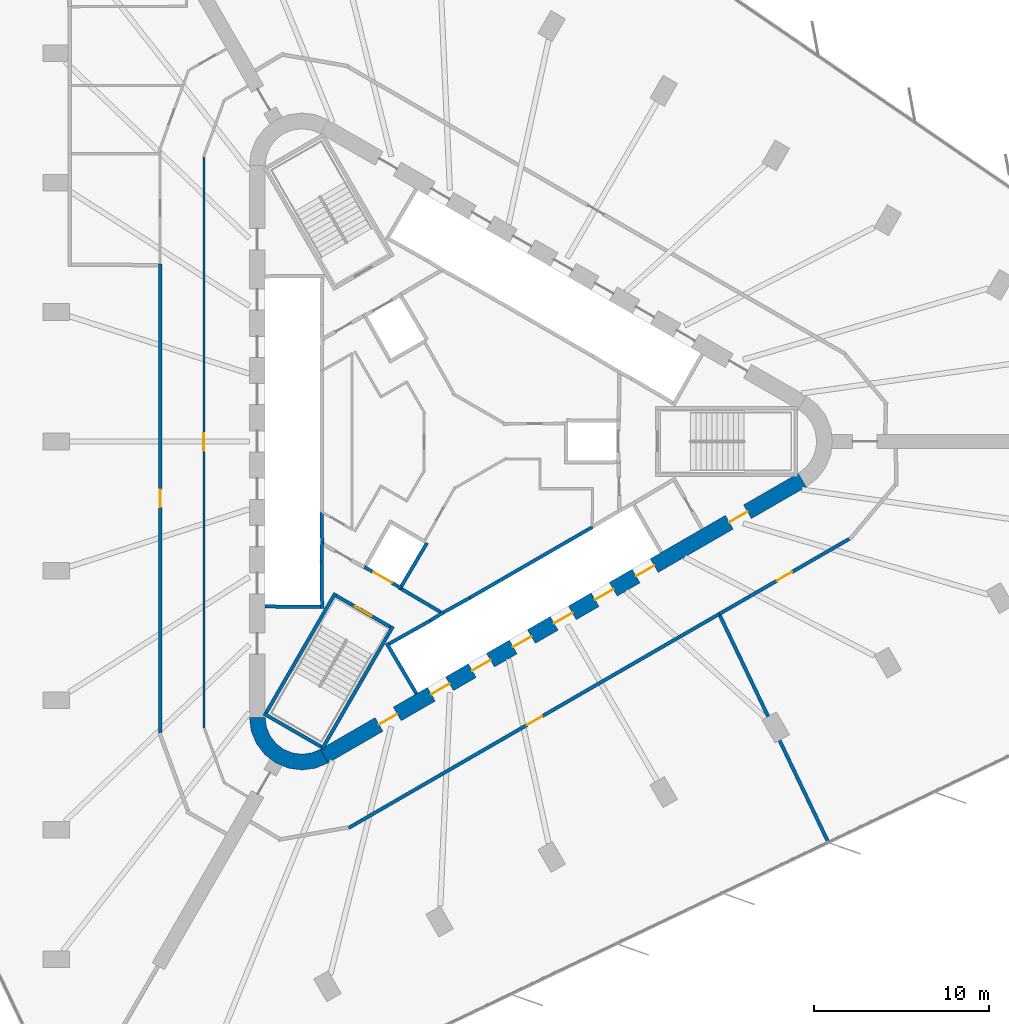
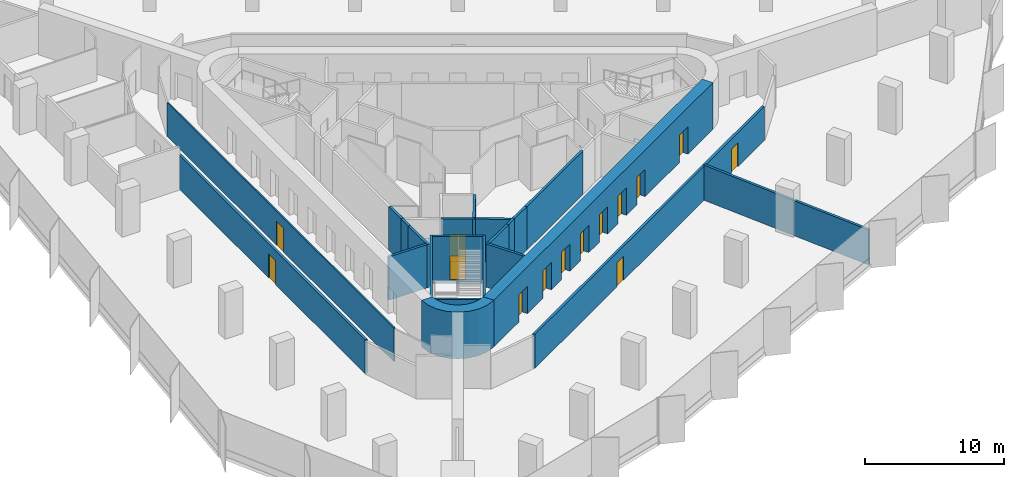
# One storey, part 9 of 14: 23 walls, 14 doors, 14 openings.
"""IFC4 building model written with IfcOpenShell, lengths in metres."""

from ifc_helpers import new_model, si_unit, direction, frame, frame_2d, origin, place, context, subcontext, project, spatial, polyline, rectangle, outline, extrude, material, layer, layer_set, type_object, element, fill, save


model = new_model("IFC4")

# Units and contexts
model_context = context("Model", 3, precision=1e-05, world=origin(), true_north=direction((0.0, 1.0)))
body_context = subcontext(model_context, "Body", "Model", "MODEL_VIEW")
ifc_project = project(units=[si_unit("LENGTHUNIT", "METRE"), si_unit("AREAUNIT", "SQUARE_METRE"), si_unit("VOLUMEUNIT", "CUBIC_METRE"), si_unit("PLANEANGLEUNIT", "RADIAN"), si_unit("MASSUNIT", "GRAM", prefix="KILO")], contexts=[model_context])

# Site, building, storey
site_placement = place(None, origin())
site = spatial("IfcSite", under=ifc_project, at=site_placement, CompositionType="ELEMENT")
building_placement = place(site_placement, origin())
building = spatial("IfcBuilding", under=site, at=building_placement, Name="Tanit Gate Tower", CompositionType="ELEMENT")
storey_placement = place(building_placement, frame((0.0, 0.0, 90.60009765625)))
storey = spatial("IfcBuildingStorey", under=building, at=storey_placement, Name="L18", CompositionType="ELEMENT", Elevation=90.60009765625)

# Wall, openings, doors
ifc_material_1 = material(Name="Concrete C60/75", Category="concrete")
ifc_layer_1 = layer(ifc_material_1, 0.89990234375)
ifc_layer_set_1 = layer_set([ifc_layer_1], Name="CORE WALL 900 C60/75")
wall_type_1 = type_object("IfcWallType", Name="CORE WALL 900 C60/75", PredefinedType="SHEAR", material=ifc_layer_set_1)
wall_1_placement = place(storey_placement, frame((-7.824951171875, -17.969970703125, 0.0), z_axis=(0.0, 0.0, 1.0), x_axis=(0.866028369851, 0.499994862586, 0.0)))
wall_1 = element("IfcWall", 1, at=wall_1_placement, inside=storey, type_object=wall_type_1, Name="CORE WALL", PredefinedType="SHEAR", context=body_context, shape_type="SweptSolid", body=[
    extrude(rectangle(XDim=31.523193359375, YDim=0.89990234375, at=frame_2d((15.76171875, 0.0))), origin(), (0.0, 0.0, 1.0), 4.099853515625),
])
opening_1_placement = place(wall_1_placement, frame((7.061767578125, 0.0, 0.0)))
opening_1 = element("IfcOpeningElement", 2, at=opening_1_placement, cuts=wall_1, Name="Opening LDSX1-S03", PredefinedType="OPENING", context=body_context, shape_type="SweptSolid", body=[
    extrude(rectangle(XDim=1.199951171875, YDim=2.39990234375, at=frame_2d((0.60009765625, 1.199951171875))), frame((0.0, 0.4599609375, 0.0), z_axis=(0.0, -1.0, 0.0), x_axis=(1.0, 0.0, 0.0)), (0.0, 0.0, 1.0), 0.919921875),
])
opening_2_placement = place(wall_1_placement, frame((9.76171875, 0.0, 0.0)))
opening_2 = element("IfcOpeningElement", 3, at=opening_2_placement, cuts=wall_1, Name="Opening LDSX2-S03", PredefinedType="OPENING", context=body_context, shape_type="SweptSolid", body=[
    extrude(rectangle(XDim=1.199951171875, YDim=2.39990234375, at=frame_2d((0.60009765625, 1.199951171875))), frame((0.0, 0.4599609375, 0.0), z_axis=(0.0, -1.0, 0.0), x_axis=(1.0, 0.0, 0.0)), (0.0, 0.0, 1.0), 0.919921875),
])
opening_3_placement = place(wall_1_placement, frame((12.461669921875, 0.0, 0.0)))
opening_3 = element("IfcOpeningElement", 4, at=opening_3_placement, cuts=wall_1, Name="Opening LDSX3-S03", PredefinedType="OPENING", context=body_context, shape_type="SweptSolid", body=[
    extrude(rectangle(XDim=1.199951171875, YDim=2.39990234375, at=frame_2d((0.60009765625, 1.199951171875))), frame((0.0, 0.4599609375, 0.0), z_axis=(0.0, -1.0, 0.0), x_axis=(1.0, 0.0, 0.0)), (0.0, 0.0, 1.0), 0.919921875),
])
opening_4_placement = place(wall_1_placement, frame((15.16162109375, 0.0, 0.0)))
opening_4 = element("IfcOpeningElement", 5, at=opening_4_placement, cuts=wall_1, Name="Opening LDSX4-S03", PredefinedType="OPENING", context=body_context, shape_type="SweptSolid", body=[
    extrude(rectangle(XDim=1.199951171875, YDim=2.39990234375, at=frame_2d((0.60009765625, 1.199951171875))), frame((0.0, 0.4599609375, 0.0), z_axis=(0.0, -1.0, 0.0), x_axis=(1.0, 0.0, 0.0)), (0.0, 0.0, 1.0), 0.919921875),
])
opening_5_placement = place(wall_1_placement, frame((17.861572265625, 0.0, 0.0)))
opening_5 = element("IfcOpeningElement", 6, at=opening_5_placement, cuts=wall_1, Name="Opening LDSV1-S03", PredefinedType="OPENING", context=body_context, shape_type="SweptSolid", body=[
    extrude(rectangle(XDim=1.199951171875, YDim=2.39990234375, at=frame_2d((0.60009765625, 1.199951171875))), frame((0.0, 0.4599609375, 0.0), z_axis=(0.0, -1.0, 0.0), x_axis=(1.0, 0.0, 0.0)), (0.0, 0.0, 1.0), 0.919921875),
])
opening_6_placement = place(wall_1_placement, frame((20.561767578125, 0.0, 0.0)))
opening_6 = element("IfcOpeningElement", 7, at=opening_6_placement, cuts=wall_1, Name="Opening LDSV2-S03", PredefinedType="OPENING", context=body_context, shape_type="SweptSolid", body=[
    extrude(rectangle(XDim=1.199951171875, YDim=2.39990234375, at=frame_2d((0.60009765625, 1.199951171875))), frame((0.0, 0.4599609375, 0.0), z_axis=(0.0, -1.0, 0.0), x_axis=(1.0, 0.0, 0.0)), (0.0, 0.0, 1.0), 0.919921875),
])
opening_7_placement = place(wall_1_placement, frame((26.711669921875, 0.0, 0.0)))
opening_7 = element("IfcOpeningElement", 8, at=opening_7_placement, cuts=wall_1, Name="Opening F12-S03-S1", PredefinedType="OPENING", context=body_context, shape_type="SweptSolid", body=[
    extrude(rectangle(XDim=1.199951171875, YDim=2.39990234375, at=frame_2d((0.60009765625, 1.199951171875))), frame((0.0, 0.4599609375, 0.0), z_axis=(0.0, -1.0, 0.0), x_axis=(1.0, 0.0, 0.0)), (0.0, 0.0, 1.0), 0.919921875),
])
opening_8_placement = place(wall_1_placement, frame((3.611572265625, 0.0, 0.0)))
opening_8 = element("IfcOpeningElement", 9, at=opening_8_placement, cuts=wall_1, Name="Opening F12-S03-FL3", PredefinedType="OPENING", context=body_context, shape_type="SweptSolid", body=[
    extrude(rectangle(XDim=1.199951171875, YDim=2.39990234375, at=frame_2d((0.60009765625, 1.199951171875))), frame((0.0, 0.4599609375, 0.0), z_axis=(0.0, -1.0, 0.0), x_axis=(1.0, 0.0, 0.0)), (0.0, 0.0, 1.0), 0.919921875),
])
ifc_material_2 = material(Name="Fire-rated steel door leaf", Category="steel")
door_type_1 = type_object("IfcDoorType", Name="INT-DOOR-FIRE-LOBBY-1200", OperationType="NOTDEFINED", PredefinedType="USERDEFINED", material=ifc_material_2)
door_1_placement = place(opening_7_placement, origin())
door_1 = element("IfcDoor", 10, at=door_1_placement, inside=storey, type_object=door_type_1, Name="Door F12-S03-S1", ObjectType="FIRE DOOR", OperationType="SINGLE_SWING_LEFT", OverallHeight=2.39990234375, OverallWidth=1.199951171875, PredefinedType="USERDEFINED", context=body_context, shape_type="SweptSolid", body=[
    extrude(rectangle(XDim=1.199951171875, YDim=2.39990234375, at=frame_2d((0.60009765625, 1.199951171875))), frame((0.0, 0.02490234375, 0.0), z_axis=(0.0, -1.0, 0.0), x_axis=(1.0, 0.0, 0.0)), (0.0, 0.0, 1.0), 0.050048828125),
])
fill(opening_7, door_1)
door_2_placement = place(opening_8_placement, origin())
door_2 = element("IfcDoor", 11, at=door_2_placement, inside=storey, type_object=door_type_1, Name="Door F12-S03-FL3", ObjectType="FIRE DOOR", OperationType="SINGLE_SWING_LEFT", OverallHeight=2.39990234375, OverallWidth=1.199951171875, PredefinedType="USERDEFINED", context=body_context, shape_type="SweptSolid", body=[
    extrude(rectangle(XDim=1.199951171875, YDim=2.39990234375, at=frame_2d((0.60009765625, 1.199951171875))), frame((0.0, 0.02490234375, 0.0), z_axis=(0.0, -1.0, 0.0), x_axis=(1.0, 0.0, 0.0)), (0.0, 0.0, 1.0), 0.050048828125),
])
fill(opening_8, door_2)
ifc_material_3 = material(Name="Stainless steel sliding door leaf", Category="steel")
door_type_2 = type_object("IfcDoorType", Name="INT-DOOR-LANDING-1200", OperationType="NOTDEFINED", PredefinedType="USERDEFINED", material=ifc_material_3)
door_3_placement = place(opening_1_placement, origin())
door_3 = element("IfcDoor", 12, at=door_3_placement, inside=storey, type_object=door_type_2, Name="Door LDSX1-S03", ObjectType="LANDING DOOR", OperationType="SLIDING_TO_LEFT", OverallHeight=2.39990234375, OverallWidth=1.199951171875, PredefinedType="USERDEFINED", context=body_context, shape_type="SweptSolid", body=[
    extrude(rectangle(XDim=1.199951171875, YDim=2.39990234375, at=frame_2d((0.60009765625, 1.199951171875))), frame((0.0, 0.02490234375, 0.0), z_axis=(0.0, -1.0, 0.0), x_axis=(1.0, 0.0, 0.0)), (0.0, 0.0, 1.0), 0.050048828125),
])
fill(opening_1, door_3)
door_4_placement = place(opening_2_placement, origin())
door_4 = element("IfcDoor", 13, at=door_4_placement, inside=storey, type_object=door_type_2, Name="Door LDSX2-S03", ObjectType="LANDING DOOR", OperationType="SLIDING_TO_LEFT", OverallHeight=2.39990234375, OverallWidth=1.199951171875, PredefinedType="USERDEFINED", context=body_context, shape_type="SweptSolid", body=[
    extrude(rectangle(XDim=1.199951171875, YDim=2.39990234375, at=frame_2d((0.60009765625, 1.199951171875))), frame((0.0, 0.02490234375, 0.0), z_axis=(0.0, -1.0, 0.0), x_axis=(1.0, 0.0, 0.0)), (0.0, 0.0, 1.0), 0.050048828125),
])
fill(opening_2, door_4)
door_5_placement = place(opening_3_placement, origin())
door_5 = element("IfcDoor", 14, at=door_5_placement, inside=storey, type_object=door_type_2, Name="Door LDSX3-S03", ObjectType="LANDING DOOR", OperationType="SLIDING_TO_LEFT", OverallHeight=2.39990234375, OverallWidth=1.199951171875, PredefinedType="USERDEFINED", context=body_context, shape_type="SweptSolid", body=[
    extrude(rectangle(XDim=1.199951171875, YDim=2.39990234375, at=frame_2d((0.60009765625, 1.199951171875))), frame((0.0, 0.02490234375, 0.0), z_axis=(0.0, -1.0, 0.0), x_axis=(1.0, 0.0, 0.0)), (0.0, 0.0, 1.0), 0.050048828125),
])
fill(opening_3, door_5)
door_6_placement = place(opening_4_placement, origin())
door_6 = element("IfcDoor", 15, at=door_6_placement, inside=storey, type_object=door_type_2, Name="Door LDSX4-S03", ObjectType="LANDING DOOR", OperationType="SLIDING_TO_LEFT", OverallHeight=2.39990234375, OverallWidth=1.199951171875, PredefinedType="USERDEFINED", context=body_context, shape_type="SweptSolid", body=[
    extrude(rectangle(XDim=1.199951171875, YDim=2.39990234375, at=frame_2d((0.60009765625, 1.199951171875))), frame((0.0, 0.02490234375, 0.0), z_axis=(0.0, -1.0, 0.0), x_axis=(1.0, 0.0, 0.0)), (0.0, 0.0, 1.0), 0.050048828125),
])
fill(opening_4, door_6)
door_7_placement = place(opening_5_placement, origin())
door_7 = element("IfcDoor", 16, at=door_7_placement, inside=storey, type_object=door_type_2, Name="Door LDSV1-S03", ObjectType="LANDING DOOR", OperationType="SLIDING_TO_LEFT", OverallHeight=2.39990234375, OverallWidth=1.199951171875, PredefinedType="USERDEFINED", context=body_context, shape_type="SweptSolid", body=[
    extrude(rectangle(XDim=1.199951171875, YDim=2.39990234375, at=frame_2d((0.60009765625, 1.199951171875))), frame((0.0, 0.02490234375, 0.0), z_axis=(0.0, -1.0, 0.0), x_axis=(1.0, 0.0, 0.0)), (0.0, 0.0, 1.0), 0.050048828125),
])
fill(opening_5, door_7)
door_8_placement = place(opening_6_placement, origin())
door_8 = element("IfcDoor", 17, at=door_8_placement, inside=storey, type_object=door_type_2, Name="Door LDSV2-S03", ObjectType="LANDING DOOR", OperationType="SLIDING_TO_LEFT", OverallHeight=2.39990234375, OverallWidth=1.199951171875, PredefinedType="USERDEFINED", context=body_context, shape_type="SweptSolid", body=[
    extrude(rectangle(XDim=1.199951171875, YDim=2.39990234375, at=frame_2d((0.60009765625, 1.199951171875))), frame((0.0, 0.02490234375, 0.0), z_axis=(0.0, -1.0, 0.0), x_axis=(1.0, 0.0, 0.0)), (0.0, 0.0, 1.0), 0.050048828125),
])
fill(opening_6, door_8)

# Walls
wall_2_placement = place(storey_placement, origin())
element("IfcWall", 18, at=wall_2_placement, inside=storey, type_object=wall_type_1, Name="CORE WALL CORNER", PredefinedType="SHEAR", context=body_context, shape_type="SweptSolid", body=[
    extrude(outline(polyline([(-12.10009765625, -15.76171875), (-11.997802734375, -16.5380859375), (-11.697998046875, -17.26171875), (-11.22119140625, -17.883056640625), (-10.60009765625, -18.359619140625), (-9.87646484375, -18.659423828125), (-9.10009765625, -18.76171875), (-8.323486328125, -18.659423828125), (-7.60009765625, -18.359619140625), (-8.050048828125, -17.580322265625), (-8.556396484375, -17.7900390625), (-9.10009765625, -17.86181640625), (-9.6435546875, -17.7900390625), (-10.14990234375, -17.580322265625), (-10.5849609375, -17.24658203125), (-10.918701171875, -16.811767578125), (-11.12841796875, -16.30517578125), (-11.199951171875, -15.76171875), (-12.10009765625, -15.76171875)])), origin(), (0.0, 0.0, 1.0), 4.099853515625),
])
ifc_material_4 = material(Name="Fire-rated gypsum board partition")
ifc_layer_2 = layer(ifc_material_4, 0.199951171875)
ifc_layer_set_2 = layer_set([ifc_layer_2], Name="INT-WALL-COMPARTMENT")
wall_type_2 = type_object("IfcWallType", Name="INT-WALL-COMPARTMENT", PredefinedType="PARTITIONING", material=ifc_layer_set_2)
wall_3_placement = place(storey_placement, frame((-3.400634765625, -8.43017578125, 0.0), z_axis=(0.0, 0.0, 1.0), x_axis=(0.860615607571, -0.509255118781, 0.0)))
element("IfcWall", 19, at=wall_3_placement, inside=storey, type_object=wall_type_2, Name="Wall Compartment W063", PredefinedType="PARTITIONING", context=body_context, shape_type="SweptSolid", body=[
    extrude(rectangle(XDim=2.58056640625, YDim=0.199951171875, at=frame_2d((1.290283203125, 0.0))), origin(), (0.0, 0.0, 1.0), 3.7998046875),
])

# Wall, opening, door
wall_4_placement = place(storey_placement, frame((-17.199951171875, 10.1298828125, 0.0), z_axis=(0.0, 0.0, 1.0), x_axis=(0.0, -1.0, 0.0)))
wall_4 = element("IfcWall", 20, at=wall_4_placement, inside=storey, type_object=wall_type_2, Name="Wall Compartment W091", PredefinedType="PARTITIONING", context=body_context, shape_type="SweptSolid", body=[
    extrude(rectangle(XDim=26.770263671875, YDim=0.199951171875, at=frame_2d((13.38525390625, 0.0))), origin(), (0.0, 0.0, 1.0), 2.97998046875),
])
opening_9_placement = place(wall_4_placement, frame((12.885009765625, 0.0, 0.0)))
opening_9 = element("IfcOpeningElement", 21, at=opening_9_placement, cuts=wall_4, Name="Opening F10-S03-20", PredefinedType="OPENING", context=body_context, shape_type="SweptSolid", body=[
    extrude(rectangle(XDim=1.0, YDim=2.10009765625, at=frame_2d((0.5, 1.050048828125))), frame((0.0, 0.10986328125, 0.0), z_axis=(0.0, -1.0, 0.0), x_axis=(1.0, 0.0, 0.0)), (0.0, 0.0, 1.0), 0.219970703125),
])
ifc_material_5 = material(Name="Fire-rated steel door leaf", Category="steel")
door_type_3 = type_object("IfcDoorType", Name="INT-DOOR-FIRE-1000", OperationType="NOTDEFINED", PredefinedType="USERDEFINED", material=ifc_material_5)
door_9_placement = place(opening_9_placement, origin())
door_9 = element("IfcDoor", 22, at=door_9_placement, inside=storey, type_object=door_type_3, Name="Door F10-S03-20", ObjectType="FIRE DOOR", OperationType="SINGLE_SWING_RIGHT", OverallHeight=2.10009765625, OverallWidth=1.0, PredefinedType="USERDEFINED", context=body_context, shape_type="SweptSolid", body=[
    extrude(rectangle(XDim=1.0, YDim=2.10009765625, at=frame_2d((0.5, 1.050048828125))), frame((0.0, 0.02490234375, 0.0), z_axis=(0.0, -1.0, 0.0), x_axis=(1.0, 0.0, 0.0)), (0.0, 0.0, 1.0), 0.050048828125),
])
fill(opening_9, door_9)

wall_5_placement = place(storey_placement, frame((-6.435546875, -22.075439453125, 0.0), z_axis=(0.0, 0.0, 1.0), x_axis=(0.866023723109, 0.500002911003, 0.0)))
wall_5 = element("IfcWall", 23, at=wall_5_placement, inside=storey, type_object=wall_type_2, Name="Wall Compartment W104", PredefinedType="PARTITIONING", context=body_context, shape_type="SweptSolid", body=[
    extrude(rectangle(XDim=24.464599609375, YDim=0.199951171875, at=frame_2d((12.232421875, 0.0))), origin(), (0.0, 0.0, 1.0), 2.97998046875),
])
opening_10_placement = place(wall_5_placement, frame((11.7705078125, 0.0, 0.0)))
opening_10 = element("IfcOpeningElement", 24, at=opening_10_placement, cuts=wall_5, Name="Opening F10-S03-23", PredefinedType="OPENING", context=body_context, shape_type="SweptSolid", body=[
    extrude(rectangle(XDim=1.0, YDim=2.10009765625, at=frame_2d((0.5, 1.050048828125))), frame((0.0, 0.10986328125, 0.0), z_axis=(0.0, -1.0, 0.0), x_axis=(1.0, 0.0, 0.0)), (0.0, 0.0, 1.0), 0.219970703125),
])
door_10_placement = place(opening_10_placement, origin())
door_10 = element("IfcDoor", 25, at=door_10_placement, inside=storey, type_object=door_type_3, Name="Door F10-S03-23", ObjectType="FIRE DOOR", OperationType="SINGLE_SWING_LEFT", OverallHeight=2.10009765625, OverallWidth=1.0, PredefinedType="USERDEFINED", context=body_context, shape_type="SweptSolid", body=[
    extrude(rectangle(XDim=1.0, YDim=2.10009765625, at=frame_2d((0.5, 1.050048828125))), frame((0.0, 0.02490234375, 0.0), z_axis=(0.0, -1.0, 0.0), x_axis=(1.0, 0.0, 0.0)), (0.0, 0.0, 1.0), 0.050048828125),
])
fill(opening_10, door_10)

wall_6_placement = place(storey_placement, frame((14.75146484375, -9.843017578125, 0.0), z_axis=(0.0, 0.0, 1.0), x_axis=(0.866018824381, 0.500011395688, 0.0)))
wall_6 = element("IfcWall", 26, at=wall_6_placement, inside=storey, type_object=wall_type_2, Name="Wall Compartment W103", PredefinedType="PARTITIONING", context=body_context, shape_type="SweptSolid", body=[
    extrude(rectangle(XDim=8.557373046875, YDim=0.199951171875, at=frame_2d((4.27880859375, 0.0))), origin(), (0.0, 0.0, 1.0), 2.97998046875),
])
opening_11_placement = place(wall_6_placement, frame((3.77880859375, 0.0, 0.0)))
opening_11 = element("IfcOpeningElement", 27, at=opening_11_placement, cuts=wall_6, Name="Opening F10-S03-22", PredefinedType="OPENING", context=body_context, shape_type="SweptSolid", body=[
    extrude(rectangle(XDim=1.0, YDim=2.10009765625, at=frame_2d((0.5, 1.050048828125))), frame((0.0, 0.10986328125, 0.0), z_axis=(0.0, -1.0, 0.0), x_axis=(1.0, 0.0, 0.0)), (0.0, 0.0, 1.0), 0.219970703125),
])
door_11_placement = place(opening_11_placement, origin())
door_11 = element("IfcDoor", 28, at=door_11_placement, inside=storey, type_object=door_type_3, Name="Door F10-S03-22", ObjectType="FIRE DOOR", OperationType="SINGLE_SWING_RIGHT", OverallHeight=2.10009765625, OverallWidth=1.0, PredefinedType="USERDEFINED", context=body_context, shape_type="SweptSolid", body=[
    extrude(rectangle(XDim=1.0, YDim=2.10009765625, at=frame_2d((0.5, 1.050048828125))), frame((0.0, 0.02490234375, 0.0), z_axis=(0.0, -1.0, 0.0), x_axis=(1.0, 0.0, 0.0)), (0.0, 0.0, 1.0), 0.050048828125),
])
fill(opening_11, door_11)

# Wall
wall_7_placement = place(storey_placement, frame((20.95654296875, -22.8818359375, 0.0), z_axis=(0.0, 0.0, 1.0), x_axis=(-0.431211460357, 0.902250894406, 0.0)))
element("IfcWall", 29, at=wall_7_placement, inside=storey, type_object=wall_type_2, Name="Wall Compartment W119", PredefinedType="PARTITIONING", context=body_context, shape_type="SweptSolid", body=[
    extrude(rectangle(XDim=14.337890625, YDim=0.199951171875, at=frame_2d((7.1689453125, 0.0))), origin(), (0.0, 0.0, 1.0), 3.079833984375),
])

# Wall, opening, door
ifc_material_6 = material(Name="Gypsum board partition")
ifc_layer_3 = layer(ifc_material_6, 0.1201171875)
ifc_layer_set_3 = layer_set([ifc_layer_3], Name="INT-WALL-PARTITION")
wall_type_3 = type_object("IfcWallType", Name="INT-WALL-PARTITION", PredefinedType="PARTITIONING", material=ifc_layer_set_3)
wall_8_placement = place(storey_placement, frame((-14.699951171875, -16.359375, 0.0), z_axis=(0.0, 0.0, 1.0), x_axis=(0.0, 1.0, 0.0)))
wall_8 = element("IfcWall", 30, at=wall_8_placement, inside=storey, type_object=wall_type_3, Name="Wall Partition W086", PredefinedType="PARTITIONING", context=body_context, shape_type="SweptSolid", body=[
    extrude(rectangle(XDim=32.598876953125, YDim=0.1201171875, at=frame_2d((16.29931640625, 0.0))), origin(), (0.0, 0.0, 1.0), 2.97998046875),
])
opening_12_placement = place(wall_8_placement, frame((15.82958984375, 0.0, 0.0)))
opening_12 = element("IfcOpeningElement", 31, at=opening_12_placement, cuts=wall_8, Name="Opening D10-S03-15", PredefinedType="OPENING", context=body_context, shape_type="SweptSolid", body=[
    extrude(rectangle(XDim=1.0, YDim=2.10009765625, at=frame_2d((0.5, 1.050048828125))), frame((0.0, 0.070068359375, 0.0), z_axis=(0.0, -1.0, 0.0), x_axis=(1.0, 0.0, 0.0)), (0.0, 0.0, 1.0), 0.14013671875),
])
ifc_material_7 = material(Name="Timber door leaf", Category="wood")
door_type_4 = type_object("IfcDoorType", Name="INT-DOOR-SINGLE-1000", OperationType="NOTDEFINED", PredefinedType="NOTDEFINED", material=ifc_material_7)
door_12_placement = place(opening_12_placement, origin())
door_12 = element("IfcDoor", 32, at=door_12_placement, inside=storey, type_object=door_type_4, Name="Door D10-S03-15", OperationType="SINGLE_SWING_RIGHT", OverallHeight=2.10009765625, OverallWidth=1.0, PredefinedType="NOTDEFINED", context=body_context, shape_type="SweptSolid", body=[
    extrude(rectangle(XDim=1.0, YDim=2.10009765625, at=frame_2d((0.5, 1.050048828125))), frame((0.0, 0.02490234375, 0.0), z_axis=(0.0, -1.0, 0.0), x_axis=(1.0, 0.0, 0.0)), (0.0, 0.0, 1.0), 0.050048828125),
])
fill(opening_12, door_12)

# Walls
ifc_material_8 = material(Name="Gypsum shaft wall system")
ifc_layer_4 = layer(ifc_material_8, 0.199951171875)
ifc_layer_set_4 = layer_set([ifc_layer_4], Name="INT-WALL-SHAFT")
wall_type_4 = type_object("IfcWallType", Name="INT-WALL-SHAFT", PredefinedType="PLUMBINGWALL", material=ifc_layer_set_4)
wall_9_placement = place(storey_placement, frame((-7.949951171875, -5.7724609375, 0.0), z_axis=(0.0, 0.0, 1.0), x_axis=(-0.030803413295, -0.999525462272, 0.0)))
element("IfcWall", 33, at=wall_9_placement, inside=storey, type_object=wall_type_4, Name="Wall Shaft W009", PredefinedType="PLUMBINGWALL", context=body_context, shape_type="SweptSolid", body=[
    extrude(rectangle(XDim=1.077880859375, YDim=0.199951171875, at=frame_2d((0.5390625, 0.0))), origin(), (0.0, 0.0, 1.0), 3.7998046875),
])
wall_10_placement = place(storey_placement, frame((-7.971435546875, -4.050048828125, 0.0), z_axis=(0.0, 0.0, 1.0), x_axis=(0.012042535896, -0.999927486035, 0.0)))
element("IfcWall", 34, at=wall_10_placement, inside=storey, type_object=wall_type_4, Name="Wall Shaft W010", PredefinedType="PLUMBINGWALL", context=body_context, shape_type="SweptSolid", body=[
    extrude(rectangle(XDim=1.844970703125, YDim=0.199951171875, at=frame_2d((0.92236328125, 0.0))), origin(), (0.0, 0.0, 1.0), 3.7998046875),
])
wall_11_placement = place(storey_placement, frame((-7.97900390625, -6.85009765625, 0.0), z_axis=(0.0, 0.0, 1.0), x_axis=(0.011121475088, -0.999938154483, 0.0)))
element("IfcWall", 35, at=wall_11_placement, inside=storey, type_object=wall_type_4, Name="Wall Shaft W011", PredefinedType="PLUMBINGWALL", context=body_context, shape_type="SweptSolid", body=[
    extrude(rectangle(XDim=2.7001953125, YDim=0.199951171875, at=frame_2d((1.35009765625, 0.0))), origin(), (0.0, 0.0, 1.0), 3.7998046875),
])
wall_12_placement = place(storey_placement, frame((-8.050048828125, -9.448974609375, 0.0), z_axis=(0.0, 0.0, 1.0), x_axis=(-0.999957467379, 0.009222983926, 0.0)))
element("IfcWall", 36, at=wall_12_placement, inside=storey, type_object=wall_type_4, Name="Wall Shaft W012", PredefinedType="PLUMBINGWALL", context=body_context, shape_type="SweptSolid", body=[
    extrude(rectangle(XDim=3.150146484375, YDim=0.199951171875, at=frame_2d((1.5751953125, 0.0))), origin(), (0.0, 0.0, 1.0), 3.7998046875),
])
wall_13_placement = place(storey_placement, frame((0.482666015625, -8.935791015625, 0.0), z_axis=(0.0, 0.0, 1.0), x_axis=(0.866030989016, 0.499990325971, 0.0)))
element("IfcWall", 37, at=wall_13_placement, inside=storey, type_object=wall_type_4, Name="Wall Shaft W031", PredefinedType="PLUMBINGWALL", context=body_context, shape_type="SweptSolid", body=[
    extrude(rectangle(XDim=8.099853515625, YDim=0.199951171875, at=frame_2d((4.0498046875, 0.0))), origin(), (0.0, 0.0, 1.0), 3.7998046875),
])
wall_14_placement = place(storey_placement, frame((-2.557861328125, -14.409423828125, 0.0), z_axis=(0.0, 0.0, 1.0), x_axis=(-0.507997497166, 0.861358544901, 0.0)))
element("IfcWall", 38, at=wall_14_placement, inside=storey, type_object=wall_type_4, Name="Wall Shaft W027", PredefinedType="PLUMBINGWALL", context=body_context, shape_type="SweptSolid", body=[
    extrude(rectangle(XDim=3.350341796875, YDim=0.199951171875, at=frame_2d((1.67529296875, 0.0))), origin(), (0.0, 0.0, 1.0), 3.7998046875),
])
wall_15_placement = place(storey_placement, frame((-1.7685546875, -10.23681640625, 0.0), z_axis=(0.0, 0.0, 1.0), x_axis=(-0.871534483978, -0.490334215854, 0.0)))
element("IfcWall", 39, at=wall_15_placement, inside=storey, type_object=wall_type_4, Name="Wall Shaft W028", PredefinedType="PLUMBINGWALL", context=body_context, shape_type="SweptSolid", body=[
    extrude(rectangle(XDim=2.7001953125, YDim=0.199951171875, at=frame_2d((1.35009765625, 0.0))), origin(), (0.0, 0.0, 1.0), 3.7998046875),
])
wall_16_placement = place(storey_placement, frame((-1.02392578125, -9.77099609375, 0.0), z_axis=(0.0, 0.0, 1.0), x_axis=(-0.850348075135, -0.526220629693, 0.0)))
element("IfcWall", 40, at=wall_16_placement, inside=storey, type_object=wall_type_4, Name="Wall Shaft W029", PredefinedType="PLUMBINGWALL", context=body_context, shape_type="SweptSolid", body=[
    extrude(rectangle(XDim=0.878173828125, YDim=0.199951171875, at=frame_2d((0.43896484375, 0.0))), origin(), (0.0, 0.0, 1.0), 3.7998046875),
])
wall_17_placement = place(storey_placement, frame((-1.130126953125, -9.831298828125, 0.0), z_axis=(0.0, 0.0, 1.0), x_axis=(0.874269620932, 0.485440655401, 0.0)))
element("IfcWall", 41, at=wall_17_placement, inside=storey, type_object=wall_type_4, Name="Wall Shaft W030", PredefinedType="PLUMBINGWALL", context=body_context, shape_type="SweptSolid", body=[
    extrude(rectangle(XDim=1.8447265625, YDim=0.199951171875, at=frame_2d((0.92236328125, 0.0))), origin(), (0.0, 0.0, 1.0), 3.7998046875),
])

# Wall, opening, door
wall_18_placement = place(storey_placement, frame((-3.44580078125, -8.3681640625, 0.0), z_axis=(0.0, 0.0, 1.0), x_axis=(-0.866024647952, 0.500001309137, 0.0)))
wall_18 = element("IfcWall", 42, at=wall_18_placement, inside=storey, type_object=wall_type_4, Name="Wall Shaft W053", PredefinedType="PLUMBINGWALL", context=body_context, shape_type="SweptSolid", body=[
    extrude(rectangle(XDim=2.39990234375, YDim=0.199951171875, at=frame_2d((1.199951171875, 0.0))), origin(), (0.0, 0.0, 1.0), 3.7998046875),
])
opening_13_placement = place(wall_18_placement, frame((0.60009765625, 0.0, 0.0)))
opening_13 = element("IfcOpeningElement", 43, at=opening_13_placement, cuts=wall_18, Name="Opening LDFL3-L18", PredefinedType="OPENING", context=body_context, shape_type="SweptSolid", body=[
    extrude(rectangle(XDim=1.199951171875, YDim=2.39990234375, at=frame_2d((0.60009765625, 1.199951171875))), frame((0.0, 0.10986328125, 0.0), z_axis=(0.0, -1.0, 0.0), x_axis=(1.0, 0.0, 0.0)), (0.0, 0.0, 1.0), 0.219970703125),
])
door_13_placement = place(opening_13_placement, origin())
door_13 = element("IfcDoor", 44, at=door_13_placement, inside=storey, type_object=door_type_2, Name="Door LDFL3-L18", ObjectType="LANDING DOOR", OperationType="SLIDING_TO_LEFT", OverallHeight=2.39990234375, OverallWidth=1.199951171875, PredefinedType="USERDEFINED", context=body_context, shape_type="SweptSolid", body=[
    extrude(rectangle(XDim=1.199951171875, YDim=2.39990234375, at=frame_2d((0.60009765625, 1.199951171875))), frame((0.0, 0.02490234375, 0.0), z_axis=(0.0, -1.0, 0.0), x_axis=(1.0, 0.0, 0.0)), (0.0, 0.0, 1.0), 0.050048828125),
])
fill(opening_13, door_13)

# Walls
wall_19_placement = place(storey_placement, frame((-1.960693359375, -5.796142578125, 0.0), z_axis=(0.0, 0.0, 1.0), x_axis=(-0.508647062354, -0.860975125052, 0.0)))
element("IfcWall", 45, at=wall_19_placement, inside=storey, type_object=wall_type_4, Name="Wall Shaft W054", PredefinedType="PLUMBINGWALL", context=body_context, shape_type="SweptSolid", body=[
    extrude(rectangle(XDim=3.10009765625, YDim=0.199951171875, at=frame_2d((1.550048828125, 0.0))), origin(), (0.0, 0.0, 1.0), 3.7998046875),
])
ifc_material_9 = material(Name="Concrete C40/50", Category="concrete")
ifc_layer_5 = layer(ifc_material_9, 0.199951171875)
ifc_layer_set_5 = layer_set([ifc_layer_5], Name="INT-WALL-STAIR")
wall_type_5 = type_object("IfcWallType", Name="INT-WALL-STAIR", PredefinedType="SHEAR", material=ifc_layer_set_5)
wall_20_placement = place(storey_placement, frame((-3.904541015625, -10.56298828125, -0.300048828125), z_axis=(0.0, 0.0, 1.0), x_axis=(-0.500012932018, -0.866017937352, 0.0)))
element("IfcWall", 46, at=wall_20_placement, inside=storey, type_object=wall_type_5, Name="Wall Stair W049", PredefinedType="SHEAR", context=body_context, shape_type="SweptSolid", body=[
    extrude(rectangle(XDim=8.099853515625, YDim=0.199951171875, at=frame_2d((4.0498046875, 0.0))), origin(), (0.0, 0.0, 1.0), 4.099853515625),
])
wall_21_placement = place(storey_placement, frame((-11.281982421875, -15.541015625, -0.300048828125), z_axis=(0.0, 0.0, 1.0), x_axis=(0.866000483506, -0.500043160704, 0.0)))
element("IfcWall", 47, at=wall_21_placement, inside=storey, type_object=wall_type_5, Name="Wall Stair W050", PredefinedType="SHEAR", context=body_context, shape_type="SweptSolid", body=[
    extrude(rectangle(XDim=3.800048828125, YDim=0.199951171875, at=frame_2d((1.89990234375, 0.0))), origin(), (0.0, 0.0, 1.0), 4.099853515625),
])
wall_22_placement = place(storey_placement, frame((-7.195556640625, -8.662841796875, -0.300048828125), z_axis=(0.0, 0.0, 1.0), x_axis=(-0.499997992926, -0.866026562566, 0.0)))
element("IfcWall", 48, at=wall_22_placement, inside=storey, type_object=wall_type_5, Name="Wall Stair W051", PredefinedType="SHEAR", context=body_context, shape_type="SweptSolid", body=[
    extrude(rectangle(XDim=7.89990234375, YDim=0.199951171875, at=frame_2d((3.949951171875, 0.0))), origin(), (0.0, 0.0, 1.0), 4.099853515625),
])

# Wall, opening, door
wall_23_placement = place(storey_placement, frame((-4.041259765625, -10.599365234375, -0.300048828125), z_axis=(0.0, 0.0, 1.0), x_axis=(-0.866047807691, 0.499961193289, 0.0)))
wall_23 = element("IfcWall", 49, at=wall_23_placement, inside=storey, type_object=wall_type_5, Name="Wall Stair W052", PredefinedType="SHEAR", context=body_context, shape_type="SweptSolid", body=[
    extrude(rectangle(XDim=3.599853515625, YDim=0.199951171875, at=frame_2d((1.7998046875, 0.0))), origin(), (0.0, 0.0, 1.0), 4.099853515625),
])
opening_14_placement = place(wall_23_placement, frame((1.25, 0.0, 0.300048828125)))
opening_14 = element("IfcOpeningElement", 50, at=opening_14_placement, cuts=wall_23, Name="Opening S11-S03-07", PredefinedType="OPENING", context=body_context, shape_type="SweptSolid", body=[
    extrude(rectangle(XDim=1.10009765625, YDim=2.10009765625, at=frame_2d((0.550048828125, 1.050048828125))), frame((0.0, 0.10986328125, 0.0), z_axis=(0.0, -1.0, 0.0), x_axis=(1.0, 0.0, 0.0)), (0.0, 0.0, 1.0), 0.219970703125),
])
ifc_material_10 = material(Name="Timber door leaf", Category="wood")
door_type_5 = type_object("IfcDoorType", Name="INT-DOOR-STAIR-1100", OperationType="NOTDEFINED", PredefinedType="USERDEFINED", material=ifc_material_10)
door_14_placement = place(opening_14_placement, origin())
door_14 = element("IfcDoor", 51, at=door_14_placement, inside=storey, type_object=door_type_5, Name="Door S11-S03-07", ObjectType="FIRE DOOR", OperationType="SINGLE_SWING_RIGHT", OverallHeight=2.10009765625, OverallWidth=1.10009765625, PredefinedType="USERDEFINED", context=body_context, shape_type="SweptSolid", body=[
    extrude(rectangle(XDim=1.10009765625, YDim=2.10009765625, at=frame_2d((0.550048828125, 1.050048828125))), frame((0.0, 0.02490234375, 0.0), z_axis=(0.0, -1.0, 0.0), x_axis=(1.0, 0.0, 0.0)), (0.0, 0.0, 1.0), 0.050048828125),
])
fill(opening_14, door_14)

save(model, "model.ifc")
